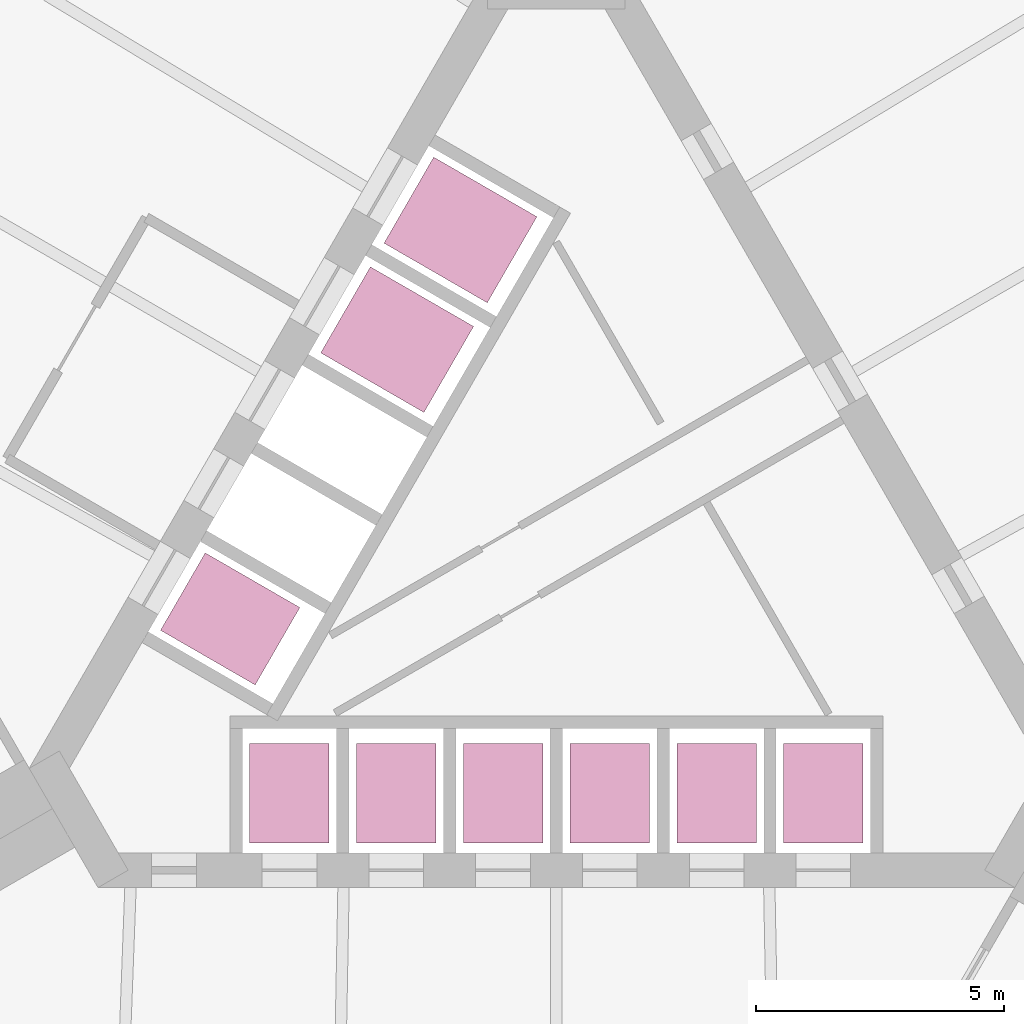
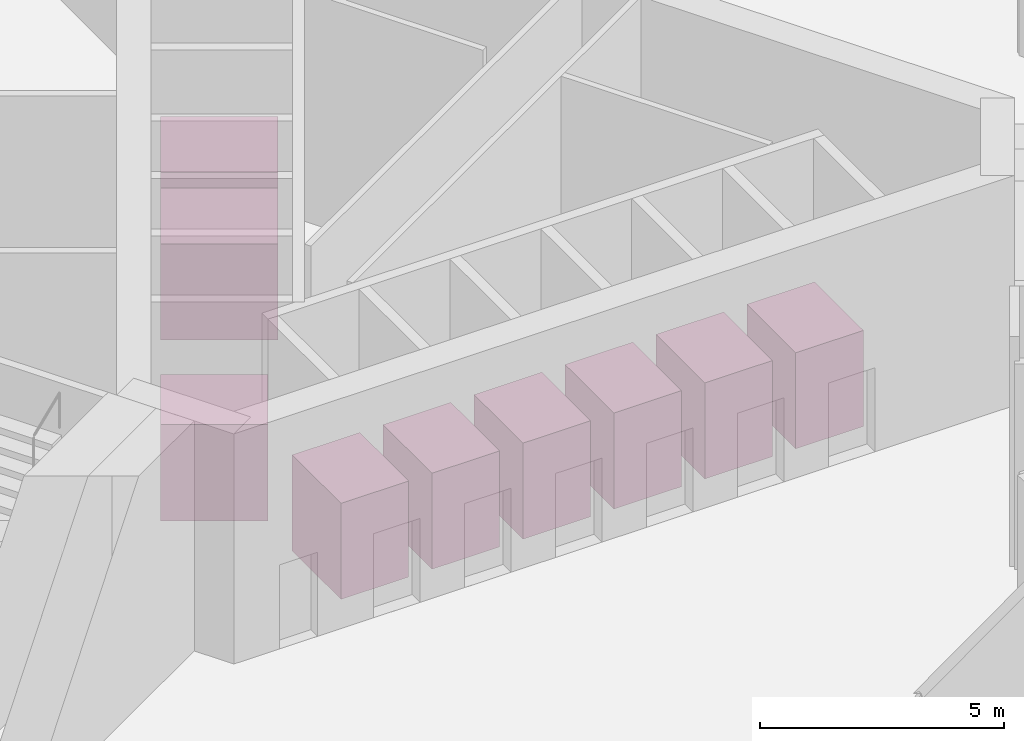
# One storey, part 14 of 14: 9 transport elements.
"""IFC4 building model written with IfcOpenShell, lengths in metres."""

from ifc_helpers import new_model, si_unit, direction, frame, origin, origin_2d, place, context, subcontext, project, spatial, rectangle, extrude, material, type_object, element, save


model = new_model("IFC4")

# Units and contexts
model_context = context("Model", 3, precision=1e-05, world=origin(), true_north=direction((0.0, 1.0)))
body_context = subcontext(model_context, "Body", "Model", "MODEL_VIEW")
ifc_project = project(units=[si_unit("LENGTHUNIT", "METRE"), si_unit("AREAUNIT", "SQUARE_METRE"), si_unit("VOLUMEUNIT", "CUBIC_METRE"), si_unit("PLANEANGLEUNIT", "RADIAN"), si_unit("MASSUNIT", "GRAM", prefix="KILO")], contexts=[model_context])

# Site, building, storey
site_placement = place(None, origin())
site = spatial("IfcSite", under=ifc_project, at=site_placement, CompositionType="ELEMENT")
building_placement = place(site_placement, origin())
building = spatial("IfcBuilding", under=site, at=building_placement, Name="Noor Cloister Tower", CompositionType="ELEMENT")
storey_placement = place(building_placement, origin())
storey = spatial("IfcBuildingStorey", under=building, at=storey_placement, Name="L00", CompositionType="ELEMENT", Elevation=0.0)

# Transport elements
ifc_material_1 = material(Name="Stainless steel", Category="steel")
transport_element_type_1 = type_object("IfcTransportElementType", Name="Lift car LR 1600 kg 1600 x 2000", PredefinedType="ELEVATOR", material=ifc_material_1)
for number, where, z_axis, x_axis, name in (
    (1, (-5.375, -5.0283203125, 0.0), (0.0, 0.0, 1.0), (1.0, 0.0, 0.0), "Low-rise lift LR1"),
    (2, (-3.22509765625, -5.0283203125, 0.0), (0.0, 0.0, 1.0), (1.0, 0.0, 0.0), "Low-rise lift LR2"),
    (3, (-1.074951171875, -5.0283203125, 0.0), (0.0, 0.0, 1.0), (1.0, 0.0, 0.0), "Low-rise lift LR3"),
    (4, (1.074951171875, -5.0283203125, 0.0), (0.0, 0.0, 1.0), (1.0, 0.0, 0.0), "Low-rise lift LR4"),
    (5, (3.22509765625, -5.0283203125, 0.0), (0.0, 0.0, 1.0), (1.0, 0.0, 0.0), "Low-rise lift LR5"),
    (6, (5.375, -5.0283203125, 0.0), (0.0, 0.0, 1.0), (1.0, 0.0, 0.0), "Low-rise lift LR6"),
):
    element("IfcTransportElement", number, at=place(storey_placement, frame(where, z_axis=z_axis, x_axis=x_axis)), inside=storey, type_object=transport_element_type_1, Name=name, PredefinedType="ELEVATOR", context=body_context, shape_type="SweptSolid", body=[
        extrude(rectangle(XDim=1.60009765625, YDim=2.0, at=origin_2d()), origin(), (0.0, 0.0, 1.0), 2.39990234375),
    ])
ifc_material_2 = material(Name="Stainless steel", Category="steel")
transport_element_type_2 = type_object("IfcTransportElementType", Name="Lift car OB 1600 kg 1800 x 2200", PredefinedType="ELEVATOR", material=ifc_material_2)
transport_element_placement = place(storey_placement, frame((-6.56787109375, -1.51953125, 0.0), z_axis=(0.0, 0.0, 1.0), x_axis=(-0.5, -0.866025403784, 0.0)))
element("IfcTransportElement", 7, at=transport_element_placement, inside=storey, type_object=transport_element_type_2, Name="Observation lift OB1", PredefinedType="ELEVATOR", context=body_context, shape_type="SweptSolid", body=[
    extrude(rectangle(XDim=1.800048828125, YDim=2.199951171875, at=origin_2d()), origin(), (0.0, 0.0, 1.0), 2.39990234375),
])
ifc_material_3 = material(Name="Stainless steel", Category="steel")
transport_element_type_3 = type_object("IfcTransportElementType", Name="Lift car SH 2500 kg 2000 x 2400", PredefinedType="ELEVATOR", material=ifc_material_3)
for number, where, z_axis, x_axis, name in (
    (8, (-1.931396484375, 6.311279296875, 0.0), (0.0, 0.0, 1.0), (-0.5, -0.866025403784, 0.0), "Shuttle lift SH1"),
    (9, (-3.206298828125, 4.102783203125, 0.0), (0.0, 0.0, 1.0), (-0.5, -0.866025403784, 0.0), "Shuttle lift SH2"),
):
    element("IfcTransportElement", number, at=place(storey_placement, frame(where, z_axis=z_axis, x_axis=x_axis)), inside=storey, type_object=transport_element_type_3, Name=name, PredefinedType="ELEVATOR", context=body_context, shape_type="SweptSolid", body=[
        extrude(rectangle(XDim=2.0, YDim=2.39990234375, at=origin_2d()), origin(), (0.0, 0.0, 1.0), 2.39990234375),
    ])

save(model, "model.ifc")
